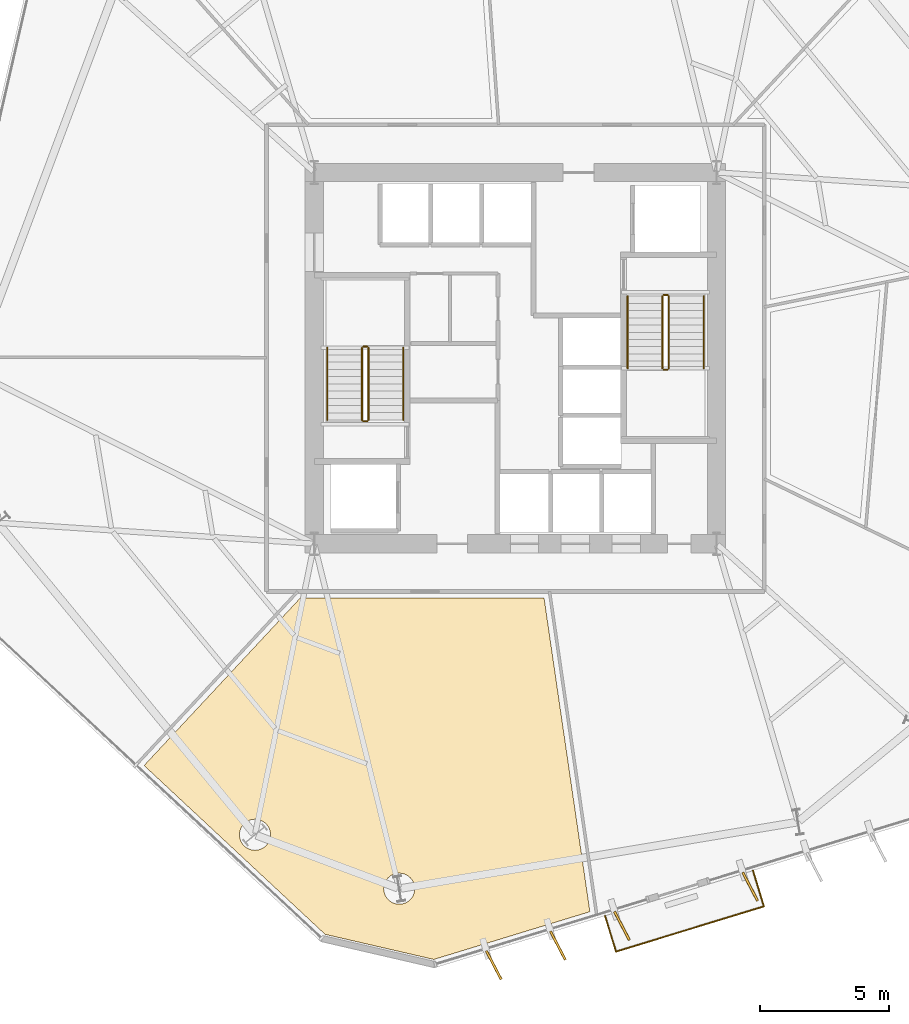
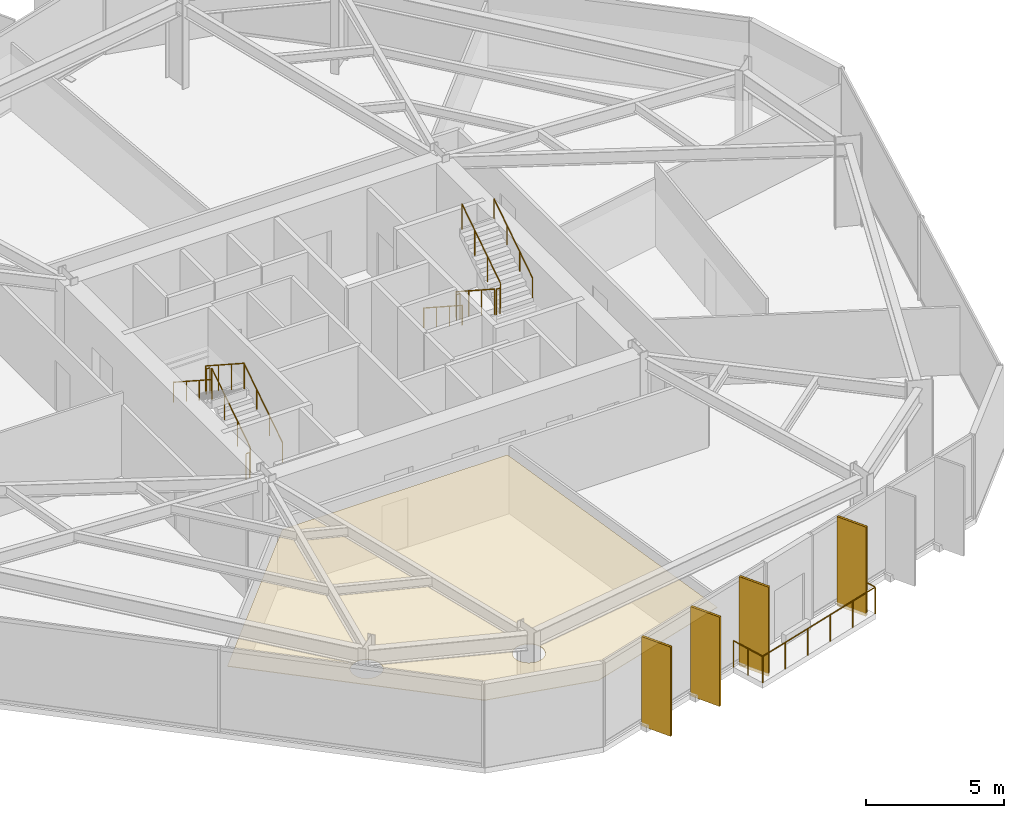
# One storey, part 8 of 9: 13 railings, 5 coverings, 4 shading devices.
"""IFC4 building model written with IfcOpenShell, lengths in metres."""

from ifc_helpers import new_model, si_unit, direction, frame, origin, origin_2d, place, context, subcontext, project, spatial, polyline, rectangle, circle, outline, extrude, material, layer, layer_set, type_object, element, save


model = new_model("IFC4")

# Units and contexts
model_context = context("Model", 3, precision=1e-05, world=origin(), true_north=direction((0.0, 1.0)))
body_context = subcontext(model_context, "Body", "Model", "MODEL_VIEW")
ifc_project = project(units=[si_unit("LENGTHUNIT", "METRE"), si_unit("AREAUNIT", "SQUARE_METRE"), si_unit("VOLUMEUNIT", "CUBIC_METRE"), si_unit("PLANEANGLEUNIT", "RADIAN"), si_unit("MASSUNIT", "GRAM", prefix="KILO")], contexts=[model_context])

# Site, building, storey
site_placement = place(None, origin())
site = spatial("IfcSite", under=ifc_project, at=site_placement, CompositionType="ELEMENT")
building_placement = place(site_placement, origin())
building = spatial("IfcBuilding", under=site, at=building_placement, Name="Kranzbogen Civic Tower", CompositionType="ELEMENT")
storey_placement = place(building_placement, frame((0.0, 0.0, 88.0)))
storey = spatial("IfcBuildingStorey", under=building, at=storey_placement, Name="L21", CompositionType="ELEMENT", Elevation=88.0)

# Coverings
ifc_material_1 = material(Name="Pale Anodised Aluminium", Category="aluminium")
ifc_layer_1 = layer(ifc_material_1, 0.02490234375, Name="Pale Anodised Aluminium")
ifc_layer_set_1 = layer_set([ifc_layer_1], Name="Pale Anodised Aluminium")
covering_type_1 = type_object("IfcCoveringType", Name="Anodised Aluminium Vertical Fin Cladding 25 mm", PredefinedType="CLADDING", material=ifc_layer_set_1)
for number, where, z_axis, x_axis, name in (
    (1, (24.159912109375, 1.4609375, -0.139892578125), (0.0, 0.0, 1.0), (0.462073688663, -0.886841533897, 0.0), "L21 vertical fin pale-metal cladding F5-1"),
    (2, (26.64599609375, 2.221923828125, -0.139892578125), (0.0, 0.0, 1.0), (0.462073688663, -0.886841533897, 0.0), "L21 vertical fin pale-metal cladding F5-2"),
    (3, (29.132080078125, 2.98193359375, -0.139892578125), (0.0, 0.0, 1.0), (0.462073688663, -0.886841533897, 0.0), "L21 vertical fin pale-metal cladding F5-3"),
    (4, (34.10498046875, 4.501953125, -0.139892578125), (0.0, 0.0, 1.0), (0.462073688663, -0.886841533897, 0.0), "L21 vertical fin pale-metal cladding F5-5"),
):
    element("IfcCovering", number, at=place(storey_placement, frame(where, z_axis=z_axis, x_axis=x_axis)), inside=storey, type_object=covering_type_1, Name=name, PredefinedType="CLADDING", context=body_context, shape_type="SweptSolid", body=[
        extrude(rectangle(XDim=1.25, YDim=0.10009765625, at=origin_2d()), origin(), (0.0, 0.0, 1.0), 3.9599609375),
    ])

# Shading devices
ifc_material_2 = material(Name="Anodised Bronze Aluminium", Category="aluminium")
shading_device_type = type_object("IfcShadingDeviceType", Name="Anodised Bronze Vertical Facade Fin 1250x80", PredefinedType="USERDEFINED", material=ifc_material_2)
for number, where, z_axis, x_axis, name in (
    (5, (24.159912109375, 1.4609375, -0.139892578125), (0.0, 0.0, 1.0), (0.462073688663, -0.886841533897, 0.0), "L21 vertical exterior shading fin F5-1"),
    (6, (26.64599609375, 2.221923828125, -0.139892578125), (0.0, 0.0, 1.0), (0.462073688663, -0.886841533897, 0.0), "L21 vertical exterior shading fin F5-2"),
    (7, (29.132080078125, 2.98193359375, -0.139892578125), (0.0, 0.0, 1.0), (0.462073688663, -0.886841533897, 0.0), "L21 vertical exterior shading fin F5-3"),
    (8, (34.10498046875, 4.501953125, -0.139892578125), (0.0, 0.0, 1.0), (0.462073688663, -0.886841533897, 0.0), "L21 vertical exterior shading fin F5-5"),
):
    element("IfcShadingDevice", number, at=place(storey_placement, frame(where, z_axis=z_axis, x_axis=x_axis)), inside=storey, type_object=shading_device_type, Name=name, ObjectType="FIN", PredefinedType="USERDEFINED", context=body_context, shape_type="SweptSolid", body=[
        extrude(rectangle(XDim=1.25, YDim=0.080078125, at=origin_2d()), origin(), (0.0, 0.0, 1.0), 3.9599609375),
    ])

# Railings
railing_type_1 = type_object("IfcRailingType", Name="Cantilevered Balcony Glass and Bronze Balustrade 1200", PredefinedType="BALUSTRADE", material=ifc_material_2)
railing_1_placement = place(storey_placement, frame((28.47607421875, 3.37109375, 0.0)))
element("IfcRailing", 9, at=railing_1_placement, inside=storey, type_object=railing_type_1, Name="L21 exterior terrace balustrade L21-TB1", PredefinedType="BALUSTRADE", context=body_context, shape_type="SweptSolid", body=[
    extrude(circle(Radius=0.02392578125, at=origin_2d()), frame((0.0, 0.0, 1.17578125), z_axis=(0.292192878616, -0.956359410309, 0.0), x_axis=(0.956359410309, 0.292192878616, 0.0)), (0.0, 0.0, 1.0), 1.450439453125),
    extrude(circle(Radius=0.02392578125, at=origin_2d()), frame((0.423828125, -1.38720703125, 1.17578125), z_axis=(0.956297533712, 0.292395326598, 0.0), x_axis=(-0.292395326598, 0.956297533712, 0.0)), (0.0, 0.0, 1.0), 5.999267578125),
    extrude(circle(Radius=0.02392578125, at=origin_2d()), frame((6.160888671875, 0.366943359375, 1.17578125), z_axis=(-0.292393872284, 0.956297978379, 0.0), x_axis=(-0.956297978379, -0.292393872284, 0.0)), (0.0, 0.0, 1.0), 1.450439453125),
    extrude(circle(Radius=0.02099609375, at=origin_2d()), origin(), (0.0, 0.0, 1.0), 1.15185546875),
    extrude(circle(Radius=0.02099609375, at=origin_2d()), frame((0.2119140625, -0.693603515625, 0.0)), (0.0, 0.0, 1.0), 1.15185546875),
    extrude(circle(Radius=0.02099609375, at=origin_2d()), frame((0.423828125, -1.38720703125, 0.0)), (0.0, 0.0, 1.0), 1.15185546875),
    extrude(circle(Radius=0.02099609375, at=origin_2d()), frame((1.5712890625, -1.036376953125, 0.0)), (0.0, 0.0, 1.0), 1.15185546875),
    extrude(circle(Radius=0.02099609375, at=origin_2d()), frame((2.71875, -0.685546875, 0.0)), (0.0, 0.0, 1.0), 1.15185546875),
    extrude(circle(Radius=0.02099609375, at=origin_2d()), frame((3.865966796875, -0.334716796875, 0.0)), (0.0, 0.0, 1.0), 1.15185546875),
    extrude(circle(Radius=0.02099609375, at=origin_2d()), frame((5.013427734375, 0.01611328125, 0.0)), (0.0, 0.0, 1.0), 1.15185546875),
    extrude(circle(Radius=0.02099609375, at=origin_2d()), frame((6.160888671875, 0.366943359375, 0.0)), (0.0, 0.0, 1.0), 1.15185546875),
    extrude(circle(Radius=0.02099609375, at=origin_2d()), frame((5.94873046875, 1.060546875, 0.0)), (0.0, 0.0, 1.0), 1.15185546875),
    extrude(circle(Radius=0.02099609375, at=origin_2d()), frame((5.73681640625, 1.75390625, 0.0)), (0.0, 0.0, 1.0), 1.15185546875),
])
ifc_material_3 = material(Name="Steel S355", Category="steel")
railing_type_2 = type_object("IfcRailingType", Name="Internal Stair and Void Steel Guardrail 1150", PredefinedType="GUARDRAIL", material=ifc_material_3)
railing_2_placement = place(storey_placement, frame((19.300048828125, 22.60009765625, 0.181884765625)))
element("IfcRailing", 10, at=railing_2_placement, inside=storey, type_object=railing_type_2, Name="L21 ST-T1 stair guard 1", PredefinedType="GUARDRAIL", context=body_context, shape_type="SweptSolid", body=[
    extrude(circle(Radius=0.02392578125, at=origin_2d()), frame((0.0, 0.0, 1.1259765625), z_axis=(0.0, 0.83868413941, 0.544618136222), x_axis=(-1.0, 0.0, 0.0)), (0.0, 0.0, 1.0), 3.33837890625),
    extrude(circle(Radius=0.02099609375, at=origin_2d()), origin(), (0.0, 0.0, 1.0), 1.101806640625),
    extrude(circle(Radius=0.02099609375, at=origin_2d()), frame((0.0, 0.933349609375, 0.60595703125)), (0.0, 0.0, 1.0), 1.101806640625),
    extrude(circle(Radius=0.02099609375, at=origin_2d()), frame((0.0, 1.866455078125, 1.212158203125)), (0.0, 0.0, 1.0), 1.101806640625),
    extrude(circle(Radius=0.02099609375, at=origin_2d()), frame((0.0, 2.7998046875, 1.818115234375)), (0.0, 0.0, 1.0), 1.101806640625),
])
railing_3_placement = place(storey_placement, frame((19.25, 25.449951171875, 2.0)))
element("IfcRailing", 11, at=railing_3_placement, inside=storey, type_object=railing_type_2, Name="L21 ST-T1 stair guard 2", PredefinedType="GUARDRAIL", context=body_context, shape_type="SweptSolid", body=[
    extrude(circle(Radius=0.02392578125, at=origin_2d()), frame((0.0, 0.0, 1.1259765625), z_axis=(-1.0, 0.0, 0.0), x_axis=(0.0, -1.0, 0.0)), (0.0, 0.0, 1.0), 0.14990234375),
    extrude(circle(Radius=0.02099609375, at=origin_2d()), origin(), (0.0, 0.0, 1.0), 1.101806640625),
    extrude(circle(Radius=0.02099609375, at=origin_2d()), frame((-0.14990234375, 0.0, 0.0)), (0.0, 0.0, 1.0), 1.101806640625),
])
railing_4_placement = place(storey_placement, frame((19.050048828125, 25.39990234375, 2.181884765625)))
element("IfcRailing", 12, at=railing_4_placement, inside=storey, type_object=railing_type_2, Name="L21 ST-T1 stair guard 3", PredefinedType="GUARDRAIL", context=body_context, shape_type="SweptSolid", body=[
    extrude(circle(Radius=0.02392578125, at=origin_2d()), frame((0.0, 0.0, 1.1259765625), z_axis=(0.0, -0.83868413941, 0.544618136222), x_axis=(1.0, 0.0, 0.0)), (0.0, 0.0, 1.0), 3.33837890625),
    extrude(circle(Radius=0.02099609375, at=origin_2d()), origin(), (0.0, 0.0, 1.0), 1.101806640625),
    extrude(circle(Radius=0.02099609375, at=origin_2d()), frame((0.0, -0.933349609375, 0.60595703125)), (0.0, 0.0, 1.0), 1.101806640625),
    extrude(circle(Radius=0.02099609375, at=origin_2d()), frame((0.0, -1.866455078125, 1.212158203125)), (0.0, 0.0, 1.0), 1.101806640625),
    extrude(circle(Radius=0.02099609375, at=origin_2d()), frame((0.0, -2.7998046875, 1.818115234375)), (0.0, 0.0, 1.0), 1.101806640625),
])
railing_5_placement = place(storey_placement, frame((19.25, 22.550048828125, 0.0)))
element("IfcRailing", 13, at=railing_5_placement, inside=storey, type_object=railing_type_2, Name="L21 ST-T1 stair guard 4", PredefinedType="GUARDRAIL", context=body_context, shape_type="SweptSolid", body=[
    extrude(circle(Radius=0.02392578125, at=origin_2d()), frame((0.0, 0.0, 1.1259765625), z_axis=(-1.0, 0.0, 0.0), x_axis=(0.0, -1.0, 0.0)), (0.0, 0.0, 1.0), 0.14990234375),
    extrude(circle(Radius=0.02099609375, at=origin_2d()), origin(), (0.0, 0.0, 1.0), 1.101806640625),
    extrude(circle(Radius=0.02099609375, at=origin_2d()), frame((-0.14990234375, 0.0, 0.0)), (0.0, 0.0, 1.0), 1.101806640625),
])
railing_6_placement = place(storey_placement, frame((30.699951171875, 27.39990234375, 0.181884765625)))
element("IfcRailing", 14, at=railing_6_placement, inside=storey, type_object=railing_type_2, Name="L21 ST-T2 stair guard 1", PredefinedType="GUARDRAIL", context=body_context, shape_type="SweptSolid", body=[
    extrude(circle(Radius=0.02392578125, at=origin_2d()), frame((0.0, 0.0, 1.1259765625), z_axis=(0.0, -0.83868413941, 0.544618136222), x_axis=(1.0, 0.0, 0.0)), (0.0, 0.0, 1.0), 3.33837890625),
    extrude(circle(Radius=0.02099609375, at=origin_2d()), origin(), (0.0, 0.0, 1.0), 1.101806640625),
    extrude(circle(Radius=0.02099609375, at=origin_2d()), frame((0.0, -0.933349609375, 0.60595703125)), (0.0, 0.0, 1.0), 1.101806640625),
    extrude(circle(Radius=0.02099609375, at=origin_2d()), frame((0.0, -1.866455078125, 1.212158203125)), (0.0, 0.0, 1.0), 1.101806640625),
    extrude(circle(Radius=0.02099609375, at=origin_2d()), frame((0.0, -2.7998046875, 1.818115234375)), (0.0, 0.0, 1.0), 1.101806640625),
])
railing_7_placement = place(storey_placement, frame((30.75, 24.550048828125, 2.0)))
element("IfcRailing", 15, at=railing_7_placement, inside=storey, type_object=railing_type_2, Name="L21 ST-T2 stair guard 2", PredefinedType="GUARDRAIL", context=body_context, shape_type="SweptSolid", body=[
    extrude(circle(Radius=0.02392578125, at=origin_2d()), frame((0.0, 0.0, 1.1259765625), z_axis=(1.0, 0.0, 0.0), x_axis=(0.0, 1.0, 0.0)), (0.0, 0.0, 1.0), 0.14990234375),
    extrude(circle(Radius=0.02099609375, at=origin_2d()), origin(), (0.0, 0.0, 1.0), 1.101806640625),
    extrude(circle(Radius=0.02099609375, at=origin_2d()), frame((0.14990234375, 0.0, 0.0)), (0.0, 0.0, 1.0), 1.101806640625),
])
railing_8_placement = place(storey_placement, frame((30.949951171875, 24.60009765625, 2.181884765625)))
element("IfcRailing", 16, at=railing_8_placement, inside=storey, type_object=railing_type_2, Name="L21 ST-T2 stair guard 3", PredefinedType="GUARDRAIL", context=body_context, shape_type="SweptSolid", body=[
    extrude(circle(Radius=0.02392578125, at=origin_2d()), frame((0.0, 0.0, 1.1259765625), z_axis=(0.0, 0.83868413941, 0.544618136222), x_axis=(-1.0, 0.0, 0.0)), (0.0, 0.0, 1.0), 3.33837890625),
    extrude(circle(Radius=0.02099609375, at=origin_2d()), origin(), (0.0, 0.0, 1.0), 1.101806640625),
    extrude(circle(Radius=0.02099609375, at=origin_2d()), frame((0.0, 0.933349609375, 0.60595703125)), (0.0, 0.0, 1.0), 1.101806640625),
    extrude(circle(Radius=0.02099609375, at=origin_2d()), frame((0.0, 1.866455078125, 1.212158203125)), (0.0, 0.0, 1.0), 1.101806640625),
    extrude(circle(Radius=0.02099609375, at=origin_2d()), frame((0.0, 2.7998046875, 1.818115234375)), (0.0, 0.0, 1.0), 1.101806640625),
])
railing_9_placement = place(storey_placement, frame((30.75, 27.449951171875, 0.0)))
element("IfcRailing", 17, at=railing_9_placement, inside=storey, type_object=railing_type_2, Name="L21 ST-T2 stair guard 4", PredefinedType="GUARDRAIL", context=body_context, shape_type="SweptSolid", body=[
    extrude(circle(Radius=0.02392578125, at=origin_2d()), frame((0.0, 0.0, 1.1259765625), z_axis=(1.0, 0.0, 0.0), x_axis=(0.0, 1.0, 0.0)), (0.0, 0.0, 1.0), 0.14990234375),
    extrude(circle(Radius=0.02099609375, at=origin_2d()), origin(), (0.0, 0.0, 1.0), 1.101806640625),
    extrude(circle(Radius=0.02099609375, at=origin_2d()), frame((0.14990234375, 0.0, 0.0)), (0.0, 0.0, 1.0), 1.101806640625),
])

# Covering
ifc_material_4 = material(Name="Perforated Acoustic Gypsum Ceiling")
ifc_layer_2 = layer(ifc_material_4, 0.02490234375, Name="Perforated Acoustic Gypsum Ceiling")
ifc_layer_set_2 = layer_set([ifc_layer_2], Name="Perforated Acoustic Gypsum Ceiling")
covering_type_2 = type_object("IfcCoveringType", Name="Perforated Acoustic Mineral Ceiling Tile 25 mm", PredefinedType="CEILING", material=ifc_layer_set_2)
covering_placement = place(storey_placement, frame((0.0, 0.0, 2.75)))
element("IfcCovering", 18, at=covering_placement, inside=storey, type_object=covering_type_2, Name="L21 Directorate Admin Workspace acoustic ceiling", PredefinedType="CEILING", context=body_context, shape_type="SweptSolid", body=[
    extrude(outline(polyline([(17.62109375, 2.654052734375), (10.60107421875, 9.199951171875), (16.6669921875, 15.705078125), (26.110107421875, 15.705078125), (27.887939453125, 3.531982421875), (21.8359375, 1.680908203125), (17.62109375, 2.654052734375)]), holes=[polyline([(21.051025390625, 4.194091796875), (21.02587890625, 4.139892578125), (20.99609375, 4.090087890625), (20.9599609375, 4.0419921875), (20.9208984375, 3.998046875), (20.876953125, 3.958984375), (20.8291015625, 3.923095703125), (20.779052734375, 3.89306640625), (20.72509765625, 3.867919921875), (20.669921875, 3.847900390625), (20.612060546875, 3.833984375), (20.553955078125, 3.824951171875), (20.4951171875, 3.822021484375), (20.43603515625, 3.824951171875), (20.3779296875, 3.833984375), (20.320068359375, 3.847900390625), (20.264892578125, 3.867919921875), (20.2109375, 3.89306640625), (20.160888671875, 3.923095703125), (20.113037109375, 3.958984375), (20.069091796875, 3.998046875), (20.030029296875, 4.0419921875), (19.993896484375, 4.090087890625), (19.964111328125, 4.139892578125), (19.93896484375, 4.194091796875), (19.9189453125, 4.2490234375), (19.905029296875, 4.306884765625), (19.89599609375, 4.364990234375), (19.89306640625, 4.424072265625), (19.89599609375, 4.48291015625), (19.905029296875, 4.541015625), (19.9189453125, 4.59912109375), (19.93896484375, 4.654052734375), (19.964111328125, 4.7080078125), (19.993896484375, 4.758056640625), (20.030029296875, 4.805908203125), (20.069091796875, 4.85009765625), (20.113037109375, 4.888916015625), (20.160888671875, 4.925048828125), (20.2109375, 4.955078125), (20.264892578125, 4.97998046875), (20.320068359375, 5.0), (20.3779296875, 5.013916015625), (20.43603515625, 5.02294921875), (20.4951171875, 5.02587890625), (20.553955078125, 5.02294921875), (20.612060546875, 5.013916015625), (20.669921875, 5.0), (20.72509765625, 4.97998046875), (20.779052734375, 4.955078125), (20.8291015625, 4.925048828125), (20.876953125, 4.888916015625), (20.9208984375, 4.85009765625), (20.9599609375, 4.805908203125), (20.99609375, 4.758056640625), (21.02587890625, 4.7080078125), (21.051025390625, 4.654052734375), (21.071044921875, 4.59912109375), (21.0849609375, 4.541015625), (21.093994140625, 4.48291015625), (21.096923828125, 4.424072265625), (21.093994140625, 4.364990234375), (21.0849609375, 4.306884765625), (21.071044921875, 4.2490234375), (21.051025390625, 4.194091796875)]), polyline([(15.45703125, 6.285888671875), (15.431884765625, 6.23193359375), (15.402099609375, 6.181884765625), (15.365966796875, 6.134033203125), (15.326904296875, 6.090087890625), (15.282958984375, 6.051025390625), (15.235107421875, 6.014892578125), (15.18505859375, 5.985107421875), (15.131103515625, 5.9599609375), (15.075927734375, 5.93994140625), (15.01806640625, 5.926025390625), (14.9599609375, 5.9169921875), (14.90087890625, 5.9140625), (14.842041015625, 5.9169921875), (14.783935546875, 5.926025390625), (14.72607421875, 5.93994140625), (14.6708984375, 5.9599609375), (14.616943359375, 5.985107421875), (14.56689453125, 6.014892578125), (14.51904296875, 6.051025390625), (14.47509765625, 6.090087890625), (14.43603515625, 6.134033203125), (14.39990234375, 6.181884765625), (14.3701171875, 6.23193359375), (14.344970703125, 6.285888671875), (14.324951171875, 6.341064453125), (14.31103515625, 6.39892578125), (14.302001953125, 6.45703125), (14.299072265625, 6.51611328125), (14.302001953125, 6.574951171875), (14.31103515625, 6.633056640625), (14.324951171875, 6.69091796875), (14.344970703125, 6.74609375), (14.3701171875, 6.800048828125), (14.39990234375, 6.85009765625), (14.43603515625, 6.89794921875), (14.47509765625, 6.94189453125), (14.51904296875, 6.98095703125), (14.56689453125, 7.01708984375), (14.616943359375, 7.047119140625), (14.6708984375, 7.072021484375), (14.72607421875, 7.092041015625), (14.783935546875, 7.10595703125), (14.842041015625, 7.114990234375), (14.90087890625, 7.117919921875), (14.9599609375, 7.114990234375), (15.01806640625, 7.10595703125), (15.075927734375, 7.092041015625), (15.131103515625, 7.072021484375), (15.18505859375, 7.047119140625), (15.235107421875, 7.01708984375), (15.282958984375, 6.98095703125), (15.326904296875, 6.94189453125), (15.365966796875, 6.89794921875), (15.402099609375, 6.85009765625), (15.431884765625, 6.800048828125), (15.45703125, 6.74609375), (15.47705078125, 6.69091796875), (15.490966796875, 6.633056640625), (15.5, 6.574951171875), (15.5029296875, 6.51611328125), (15.5, 6.45703125), (15.490966796875, 6.39892578125), (15.47705078125, 6.341064453125), (15.45703125, 6.285888671875)])]), origin(), (0.0, 0.0, 1.0), 0.02490234375),
])

# Railings
railing_type_3 = type_object("IfcRailingType", Name="Tubular Stainless Stair Wall Handrail 900", PredefinedType="HANDRAIL", material=ifc_material_1)
railing_10_placement = place(storey_placement, frame((20.64990234375, 22.60009765625, 0.181884765625)))
element("IfcRailing", 19, at=railing_10_placement, inside=storey, type_object=railing_type_3, Name="L21 ST-T1 stair handrail 1", PredefinedType="HANDRAIL", context=body_context, shape_type="SweptSolid", body=[
    extrude(circle(Radius=0.02392578125, at=origin_2d()), frame((0.0, 0.0, 0.8759765625), z_axis=(0.0, 0.83868413941, 0.544618136222), x_axis=(-1.0, 0.0, 0.0)), (0.0, 0.0, 1.0), 3.33837890625),
    extrude(circle(Radius=0.02099609375, at=origin_2d()), origin(), (0.0, 0.0, 1.0), 0.851806640625),
    extrude(circle(Radius=0.02099609375, at=origin_2d()), frame((0.0, 0.933349609375, 0.60595703125)), (0.0, 0.0, 1.0), 0.851806640625),
    extrude(circle(Radius=0.02099609375, at=origin_2d()), frame((0.0, 1.866455078125, 1.212158203125)), (0.0, 0.0, 1.0), 0.851806640625),
    extrude(circle(Radius=0.02099609375, at=origin_2d()), frame((0.0, 2.7998046875, 1.818115234375)), (0.0, 0.0, 1.0), 0.851806640625),
])
for number, where, name in (
    (20, (17.699951171875, 25.39990234375, 2.181884765625), "L21 ST-T1 stair handrail 2"),
    (21, (29.35009765625, 27.39990234375, 0.181884765625), "L21 ST-T2 stair handrail 1"),
):
    element("IfcRailing", number, at=place(storey_placement, frame(where)), inside=storey, type_object=railing_type_3, Name=name, PredefinedType="HANDRAIL", context=body_context, shape_type="SweptSolid", body=[
        extrude(circle(Radius=0.02392578125, at=origin_2d()), frame((0.0, 0.0, 0.8759765625), z_axis=(0.0, -0.83868413941, 0.544618136222), x_axis=(1.0, 0.0, 0.0)), (0.0, 0.0, 1.0), 3.33837890625),
        extrude(circle(Radius=0.02099609375, at=origin_2d()), origin(), (0.0, 0.0, 1.0), 0.851806640625),
        extrude(circle(Radius=0.02099609375, at=origin_2d()), frame((0.0, -0.933349609375, 0.60595703125)), (0.0, 0.0, 1.0), 0.851806640625),
        extrude(circle(Radius=0.02099609375, at=origin_2d()), frame((0.0, -1.866455078125, 1.212158203125)), (0.0, 0.0, 1.0), 0.851806640625),
        extrude(circle(Radius=0.02099609375, at=origin_2d()), frame((0.0, -2.7998046875, 1.818115234375)), (0.0, 0.0, 1.0), 0.851806640625),
    ])
railing_11_placement = place(storey_placement, frame((32.300048828125, 24.60009765625, 2.181884765625)))
element("IfcRailing", 22, at=railing_11_placement, inside=storey, type_object=railing_type_3, Name="L21 ST-T2 stair handrail 2", PredefinedType="HANDRAIL", context=body_context, shape_type="SweptSolid", body=[
    extrude(circle(Radius=0.02392578125, at=origin_2d()), frame((0.0, 0.0, 0.8759765625), z_axis=(0.0, 0.83868413941, 0.544618136222), x_axis=(-1.0, 0.0, 0.0)), (0.0, 0.0, 1.0), 3.33837890625),
    extrude(circle(Radius=0.02099609375, at=origin_2d()), origin(), (0.0, 0.0, 1.0), 0.851806640625),
    extrude(circle(Radius=0.02099609375, at=origin_2d()), frame((0.0, 0.933349609375, 0.60595703125)), (0.0, 0.0, 1.0), 0.851806640625),
    extrude(circle(Radius=0.02099609375, at=origin_2d()), frame((0.0, 1.866455078125, 1.212158203125)), (0.0, 0.0, 1.0), 0.851806640625),
    extrude(circle(Radius=0.02099609375, at=origin_2d()), frame((0.0, 2.7998046875, 1.818115234375)), (0.0, 0.0, 1.0), 0.851806640625),
])

save(model, "model.ifc")
